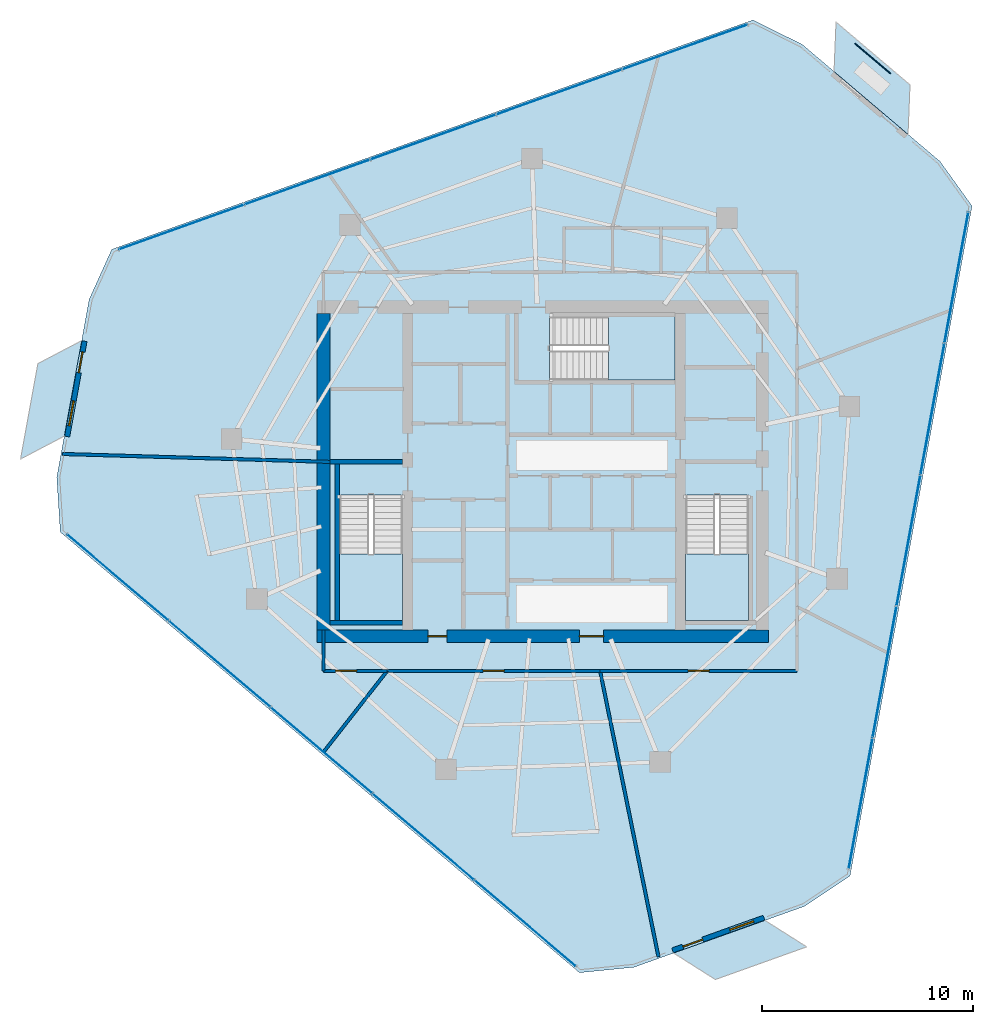
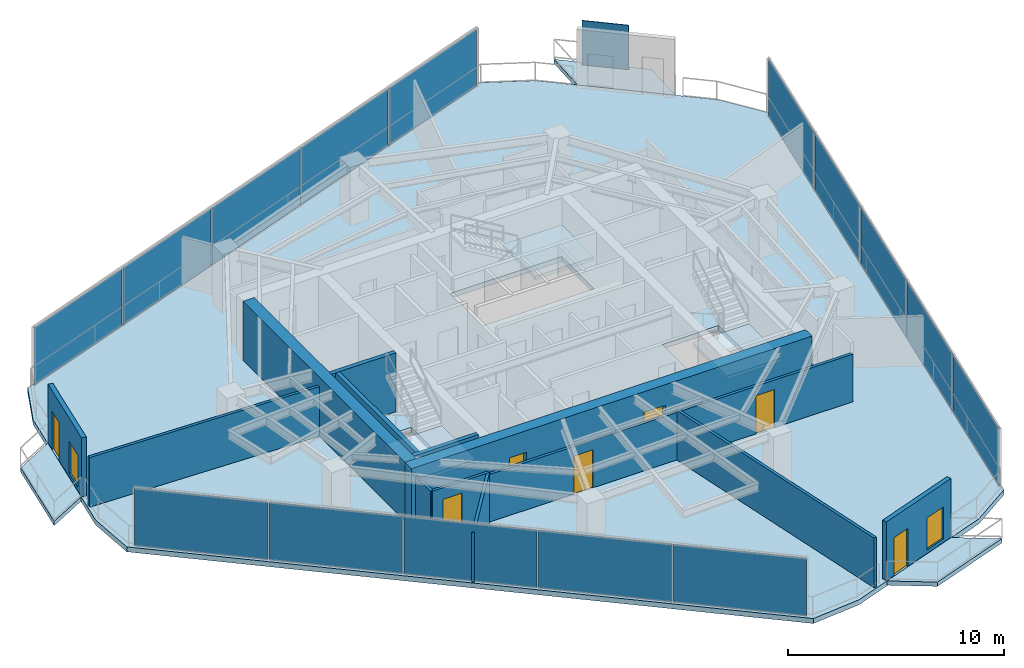
# One storey, part 16 of 21: 16 plates, 14 walls, 7 doors, 7 slabs, 2 windows, 9 openings, 6 elements without a shape of their own.
"""IFC4 building model written with IfcOpenShell, lengths in metres."""

from ifc_helpers import new_model, si_unit, direction, frame, frame_2d, origin, origin_2d, place, context, subcontext, project, spatial, polyline, rectangle, outline, extrude, material, layer, layer_set, type_object, element, fill, aggregate, save


model = new_model("IFC4")

# Units and contexts
model_context = context("Model", 3, precision=1e-05, world=origin(), true_north=direction((0.0, 1.0)))
body_context = subcontext(model_context, "Body", "Model", "MODEL_VIEW")
ifc_project = project(units=[si_unit("LENGTHUNIT", "METRE"), si_unit("AREAUNIT", "SQUARE_METRE"), si_unit("VOLUMEUNIT", "CUBIC_METRE"), si_unit("PLANEANGLEUNIT", "RADIAN"), si_unit("MASSUNIT", "GRAM", prefix="KILO")], contexts=[model_context])

# Site, building, storey
site_placement = place(None, origin())
site = spatial("IfcSite", under=ifc_project, at=site_placement, CompositionType="ELEMENT")
building_placement = place(site_placement, origin())
building = spatial("IfcBuilding", under=site, at=building_placement, Name="Qarnah Convention Tower", CompositionType="ELEMENT")
storey_placement = place(building_placement, frame((0.0, 0.0, 140.10009765625)))
storey = spatial("IfcBuildingStorey", under=building, at=storey_placement, Name="L37", CompositionType="ELEMENT", Elevation=140.10009765625)

# Curtain wall, plates
ifc_material_1 = material(Name="Tempered Low-E dark glass", Category="glass")
ifc_layer_1 = layer(ifc_material_1, 0.172119140625)
ifc_layer_set_1 = layer_set([ifc_layer_1], Name="Tempered Low-E dark glass")
curtain_wall_type = type_object("IfcCurtainWallType", Name="CWS-03", PredefinedType="NOTDEFINED", material=ifc_layer_set_1)
curtain_wall_1_placement = place(storey_placement, origin())
curtain_wall_1 = element("IfcCurtainWall", 1, at=curtain_wall_1_placement, inside=storey, type_object=curtain_wall_type, Name="L37 unitised curtain wall CW-L37-F1", PredefinedType="NOTDEFINED")
ifc_layer_2 = layer(ifc_material_1, 0.031982421875)
ifc_layer_set_2 = layer_set([ifc_layer_2], Name="Tempered Low-E dark glass")
plate_type_1 = type_object("IfcPlateType", Name="PNL-T3", PredefinedType="CURTAIN_PANEL", material=ifc_layer_set_2)
plate_1_placement = place(storey_placement, frame((56.803466796875, 35.601318359375, 0.0400390625), z_axis=(0.0, 0.0, 1.0), x_axis=(-0.179132646464, -0.983824931058, 0.0)))
plate_1 = element("IfcPlate", 2, at=plate_1_placement, type_object=plate_type_1, Name="CW-L37-F1 curtain panel 1.1", PredefinedType="CURTAIN_PANEL", context=body_context, shape_type="SweptSolid", body=[
    extrude(rectangle(XDim=6.256103515625, YDim=0.031982421875, at=origin_2d()), origin(), (0.0, 0.0, 1.0), 3.239990234375),
])
plate_2_placement = place(storey_placement, frame((55.66845703125, 29.36767578125, 0.0400390625), z_axis=(0.0, 0.0, 1.0), x_axis=(-0.179132646464, -0.983824931058, 0.0)))
plate_2 = element("IfcPlate", 3, at=plate_2_placement, type_object=plate_type_1, Name="CW-L37-F1 curtain panel 2.1", PredefinedType="CURTAIN_PANEL", context=body_context, shape_type="SweptSolid", body=[
    extrude(rectangle(XDim=6.256103515625, YDim=0.031982421875, at=origin_2d()), origin(), (0.0, 0.0, 1.0), 3.239990234375),
])
plate_3_placement = place(storey_placement, frame((54.533447265625, 23.134033203125, 0.0400390625), z_axis=(0.0, 0.0, 1.0), x_axis=(-0.179132646464, -0.983824931058, 0.0)))
plate_3 = element("IfcPlate", 4, at=plate_3_placement, type_object=plate_type_1, Name="CW-L37-F1 curtain panel 3.1", PredefinedType="CURTAIN_PANEL", context=body_context, shape_type="SweptSolid", body=[
    extrude(rectangle(XDim=6.256103515625, YDim=0.031982421875, at=origin_2d()), origin(), (0.0, 0.0, 1.0), 3.239990234375),
])
plate_4_placement = place(storey_placement, frame((53.3984375, 16.900390625, 0.0400390625), z_axis=(0.0, 0.0, 1.0), x_axis=(-0.179132646464, -0.983824931058, 0.0)))
plate_4 = element("IfcPlate", 5, at=plate_4_placement, type_object=plate_type_1, Name="CW-L37-F1 curtain panel 4.1", PredefinedType="CURTAIN_PANEL", context=body_context, shape_type="SweptSolid", body=[
    extrude(rectangle(XDim=6.256103515625, YDim=0.031982421875, at=origin_2d()), origin(), (0.0, 0.0, 1.0), 3.239990234375),
])
plate_5_placement = place(storey_placement, frame((52.263427734375, 10.666748046875, 0.0400390625), z_axis=(0.0, 0.0, 1.0), x_axis=(-0.179132646464, -0.983824931058, 0.0)))
plate_5 = element("IfcPlate", 6, at=plate_5_placement, type_object=plate_type_1, Name="CW-L37-F1 curtain panel 5.1", PredefinedType="CURTAIN_PANEL", context=body_context, shape_type="SweptSolid", body=[
    extrude(rectangle(XDim=6.256103515625, YDim=0.031982421875, at=origin_2d()), origin(), (0.0, 0.0, 1.0), 3.239990234375),
])
aggregate(curtain_wall_1, [plate_1, plate_2, plate_3, plate_4, plate_5])

curtain_wall_2_placement = place(storey_placement, origin())
curtain_wall_2 = element("IfcCurtainWall", 7, at=curtain_wall_2_placement, inside=storey, type_object=curtain_wall_type, Name="L37 unitised curtain wall CW-L37-F2", PredefinedType="NOTDEFINED")
plate_6_placement = place(storey_placement, frame((36.363525390625, 4.97998046875, 0.0400390625), z_axis=(0.0, 0.0, 1.0), x_axis=(-0.762449207872, 0.647048070405, 0.0)))
plate_6 = element("IfcPlate", 8, at=plate_6_placement, type_object=plate_type_1, Name="CW-L37-F2 curtain panel 1.1", PredefinedType="CURTAIN_PANEL", context=body_context, shape_type="SweptSolid", body=[
    extrude(rectangle(XDim=6.256103515625, YDim=0.031982421875, at=origin_2d()), origin(), (0.0, 0.0, 1.0), 3.239990234375),
])
plate_7_placement = place(storey_placement, frame((31.532470703125, 9.07958984375, 0.0400390625), z_axis=(0.0, 0.0, 1.0), x_axis=(-0.762449207872, 0.647048070405, 0.0)))
plate_7 = element("IfcPlate", 9, at=plate_7_placement, type_object=plate_type_1, Name="CW-L37-F2 curtain panel 2.1", PredefinedType="CURTAIN_PANEL", context=body_context, shape_type="SweptSolid", body=[
    extrude(rectangle(XDim=6.256103515625, YDim=0.031982421875, at=origin_2d()), origin(), (0.0, 0.0, 1.0), 3.239990234375),
])
plate_8_placement = place(storey_placement, frame((26.701416015625, 13.179443359375, 0.0400390625), z_axis=(0.0, 0.0, 1.0), x_axis=(-0.762449207872, 0.647048070405, 0.0)))
plate_8 = element("IfcPlate", 10, at=plate_8_placement, type_object=plate_type_1, Name="CW-L37-F2 curtain panel 3.1", PredefinedType="CURTAIN_PANEL", context=body_context, shape_type="SweptSolid", body=[
    extrude(rectangle(XDim=6.256103515625, YDim=0.031982421875, at=origin_2d()), origin(), (0.0, 0.0, 1.0), 3.239990234375),
])
plate_9_placement = place(storey_placement, frame((21.87060546875, 17.279296875, 0.0400390625), z_axis=(0.0, 0.0, 1.0), x_axis=(-0.762449207872, 0.647048070405, 0.0)))
plate_9 = element("IfcPlate", 11, at=plate_9_placement, type_object=plate_type_1, Name="CW-L37-F2 curtain panel 4.1", PredefinedType="CURTAIN_PANEL", context=body_context, shape_type="SweptSolid", body=[
    extrude(rectangle(XDim=6.256103515625, YDim=0.031982421875, at=origin_2d()), origin(), (0.0, 0.0, 1.0), 3.239990234375),
])
plate_10_placement = place(storey_placement, frame((17.03955078125, 21.379150390625, 0.0400390625), z_axis=(0.0, 0.0, 1.0), x_axis=(-0.762449207872, 0.647048070405, 0.0)))
plate_10 = element("IfcPlate", 12, at=plate_10_placement, type_object=plate_type_1, Name="CW-L37-F2 curtain panel 5.1", PredefinedType="CURTAIN_PANEL", context=body_context, shape_type="SweptSolid", body=[
    extrude(rectangle(XDim=6.256103515625, YDim=0.031982421875, at=origin_2d()), origin(), (0.0, 0.0, 1.0), 3.239990234375),
])
aggregate(curtain_wall_2, [plate_6, plate_7, plate_8, plate_9, plate_10])

curtain_wall_3_placement = place(storey_placement, origin())
curtain_wall_3 = element("IfcCurtainWall", 13, at=curtain_wall_3_placement, inside=storey, type_object=curtain_wall_type, Name="L37 unitised curtain wall CW-L37-F3", PredefinedType="NOTDEFINED")
plate_11_placement = place(storey_placement, frame((20.06494140625, 37.991943359375, 0.0400390625), z_axis=(0.0, 0.0, 1.0), x_axis=(0.941577546205, 0.336796265543, 0.0)))
plate_11 = element("IfcPlate", 14, at=plate_11_placement, type_object=plate_type_1, Name="CW-L37-F3 curtain panel 1.1", PredefinedType="CURTAIN_PANEL", context=body_context, shape_type="SweptSolid", body=[
    extrude(rectangle(XDim=6.256103515625, YDim=0.031982421875, at=origin_2d()), origin(), (0.0, 0.0, 1.0), 3.239990234375),
])
plate_12_placement = place(storey_placement, frame((26.031005859375, 40.1259765625, 0.0400390625), z_axis=(0.0, 0.0, 1.0), x_axis=(0.941577546205, 0.336796265543, 0.0)))
plate_12 = element("IfcPlate", 15, at=plate_12_placement, type_object=plate_type_1, Name="CW-L37-F3 curtain panel 2.1", PredefinedType="CURTAIN_PANEL", context=body_context, shape_type="SweptSolid", body=[
    extrude(rectangle(XDim=6.256103515625, YDim=0.031982421875, at=origin_2d()), origin(), (0.0, 0.0, 1.0), 3.239990234375),
])
plate_13_placement = place(storey_placement, frame((31.9970703125, 42.260009765625, 0.0400390625), z_axis=(0.0, 0.0, 1.0), x_axis=(0.941577546205, 0.336796265543, 0.0)))
plate_13 = element("IfcPlate", 16, at=plate_13_placement, type_object=plate_type_1, Name="CW-L37-F3 curtain panel 3.1", PredefinedType="CURTAIN_PANEL", context=body_context, shape_type="SweptSolid", body=[
    extrude(rectangle(XDim=6.256103515625, YDim=0.031982421875, at=origin_2d()), origin(), (0.0, 0.0, 1.0), 3.239990234375),
])
plate_14_placement = place(storey_placement, frame((37.962890625, 44.39404296875, 0.0400390625), z_axis=(0.0, 0.0, 1.0), x_axis=(0.941577546205, 0.336796265543, 0.0)))
plate_14 = element("IfcPlate", 17, at=plate_14_placement, type_object=plate_type_1, Name="CW-L37-F3 curtain panel 4.1", PredefinedType="CURTAIN_PANEL", context=body_context, shape_type="SweptSolid", body=[
    extrude(rectangle(XDim=6.256103515625, YDim=0.031982421875, at=origin_2d()), origin(), (0.0, 0.0, 1.0), 3.239990234375),
])
plate_15_placement = place(storey_placement, frame((43.928955078125, 46.528076171875, 0.0400390625), z_axis=(0.0, 0.0, 1.0), x_axis=(0.941577546205, 0.336796265543, 0.0)))
plate_15 = element("IfcPlate", 18, at=plate_15_placement, type_object=plate_type_1, Name="CW-L37-F3 curtain panel 5.1", PredefinedType="CURTAIN_PANEL", context=body_context, shape_type="SweptSolid", body=[
    extrude(rectangle(XDim=6.256103515625, YDim=0.031982421875, at=origin_2d()), origin(), (0.0, 0.0, 1.0), 3.239990234375),
])
aggregate(curtain_wall_3, [plate_11, plate_12, plate_13, plate_14, plate_15])

# Plate
ifc_material_2 = material(Name="Black anodised aluminium", Category="aluminium")
ifc_layer_3 = layer(ifc_material_2, 0.044921875)
ifc_layer_set_3 = layer_set([ifc_layer_3], Name="Black anodised aluminium")
plate_type_2 = type_object("IfcPlateType", Name="SCR-BAL-18", PredefinedType="USERDEFINED", material=ifc_layer_set_3)
plate_16_placement = place(storey_placement, frame((52.837890625, 45.98193359375, 0.0), z_axis=(0.0, 0.0, 1.0), x_axis=(0.762561077406, -0.646916225817, 0.0)))
element("IfcPlate", 19, at=plate_16_placement, inside=storey, type_object=plate_type_2, Name="L37 perforated desert solar screen BAL-L37-C1", ObjectType="SCREEN", PredefinedType="USERDEFINED", context=body_context, shape_type="SweptSolid", body=[
    extrude(rectangle(XDim=2.199951171875, YDim=0.044921875, at=origin_2d()), origin(), (0.0, 0.0, 1.0), 2.5),
])

# Slabs
ifc_material_3 = material(Name="Concrete C45/55", Category="concrete")
ifc_layer_4 = layer(ifc_material_3, 0.239990234375)
ifc_layer_set_4 = layer_set([ifc_layer_4], Name="Concrete C45/55")
slab_type_1 = type_object("IfcSlabType", Name="SLB-BAL-240", PredefinedType="USERDEFINED", material=ifc_layer_set_4)
slab_1_placement = place(storey_placement, frame((0.0, 0.0, -0.239990234375)))
element("IfcSlab", 20, at=slab_1_placement, inside=storey, type_object=slab_type_1, Name="L37 cantilevered balcony slab BAL-L37-C1", ObjectType="BALCONY", PredefinedType="USERDEFINED", context=body_context, shape_type="SweptSolid", body=[
    extrude(outline(polyline([(51.093994140625, 47.7099609375), (54.60205078125, 44.73388671875), (54.507080078125, 42.388916015625), (50.9990234375, 45.365966796875), (51.093994140625, 47.7099609375)])), origin(), (0.0, 0.0, 1.0), 0.239990234375),
])
slab_2_placement = place(storey_placement, frame((0.0, 0.0, -0.239990234375)))
element("IfcSlab", 21, at=slab_2_placement, inside=storey, type_object=slab_type_1, Name="L37 cantilevered balcony slab BAL-L37-C2", ObjectType="BALCONY", PredefinedType="USERDEFINED", context=body_context, shape_type="SweptSolid", body=[
    extrude(outline(polyline([(12.431884765625, 26.992919921875), (13.256103515625, 31.51904296875), (15.3349609375, 32.60888671875), (14.510009765625, 28.083984375), (12.431884765625, 26.992919921875)])), origin(), (0.0, 0.0, 1.0), 0.239990234375),
])
slab_3_placement = place(storey_placement, frame((0.0, 0.0, -0.239990234375)))
element("IfcSlab", 22, at=slab_3_placement, inside=storey, type_object=slab_type_1, Name="L37 cantilevered balcony slab BAL-L37-C3", ObjectType="BALCONY", PredefinedType="USERDEFINED", context=body_context, shape_type="SweptSolid", body=[
    extrude(outline(polyline([(49.705078125, 3.868896484375), (45.3740234375, 2.320068359375), (43.39111328125, 3.574951171875), (47.721923828125, 5.1240234375), (49.705078125, 3.868896484375)])), origin(), (0.0, 0.0, 1.0), 0.239990234375),
])

# Stair, slab
ifc_material_4 = material(Name="Concrete C50/60", Category="concrete")
stair_type = type_object("IfcStairType", Name="STR-OFF", PredefinedType="HALF_TURN_STAIR", material=ifc_material_4)
stair_1_placement = place(storey_placement, origin())
stair_1 = element("IfcStair", 23, at=stair_1_placement, inside=storey, type_object=stair_type, Name="L37 Core exit stair ST-1", PredefinedType="HALF_TURN_STAIR")
ifc_layer_5 = layer(ifc_material_4, 0.199951171875)
ifc_layer_set_5 = layer_set([ifc_layer_5], Name="Concrete C50/60")
slab_type_2 = type_object("IfcSlabType", Name="SLB-LANDING-200", PredefinedType="LANDING", material=ifc_layer_set_5)
slab_4_placement = place(storey_placement, frame((0.0, 0.0, 1.599853515625)))
slab_4 = element("IfcSlab", 24, at=slab_4_placement, type_object=slab_type_2, Name="ST-1 landing 1", PredefinedType="LANDING", context=body_context, shape_type="SweptSolid", body=[
    extrude(outline(polyline([(27.550048828125, 22.5), (27.550048828125, 19.35009765625), (30.550048828125, 19.35009765625), (30.550048828125, 22.5), (27.550048828125, 22.5)])), origin(), (0.0, 0.0, 1.0), 0.199951171875),
])
aggregate(stair_1, [slab_4])

stair_2_placement = place(storey_placement, origin())
stair_2 = element("IfcStair", 25, at=stair_2_placement, inside=storey, type_object=stair_type, Name="L37 Core exit stair ST-2", PredefinedType="HALF_TURN_STAIR")
slab_5_placement = place(storey_placement, frame((0.0, 0.0, 1.599853515625)))
slab_5 = element("IfcSlab", 26, at=slab_5_placement, type_object=slab_type_2, Name="ST-2 landing 1", PredefinedType="LANDING", context=body_context, shape_type="SweptSolid", body=[
    extrude(outline(polyline([(43.949951171875, 22.5), (43.949951171875, 19.35009765625), (46.949951171875, 19.35009765625), (46.949951171875, 22.5), (43.949951171875, 22.5)])), origin(), (0.0, 0.0, 1.0), 0.199951171875),
])
aggregate(stair_2, [slab_5])

stair_3_placement = place(storey_placement, origin())
stair_3 = element("IfcStair", 27, at=stair_3_placement, inside=storey, type_object=stair_type, Name="L37 Core exit stair ST-3", PredefinedType="HALF_TURN_STAIR")
slab_6_placement = place(storey_placement, frame((0.0, 0.0, 1.599853515625)))
slab_6 = element("IfcSlab", 28, at=slab_6_placement, type_object=slab_type_2, Name="ST-3 landing 1", PredefinedType="LANDING", context=body_context, shape_type="SweptSolid", body=[
    extrude(outline(polyline([(40.300048828125, 30.75), (43.449951171875, 30.75), (43.449951171875, 33.75), (40.300048828125, 33.75), (40.300048828125, 30.75)])), origin(), (0.0, 0.0, 1.0), 0.199951171875),
])
aggregate(stair_3, [slab_6])

# Slab
ifc_layer_6 = layer(ifc_material_3, 0.280029296875)
ifc_layer_set_6 = layer_set([ifc_layer_6], Name="Concrete C45/55")
slab_type_3 = type_object("IfcSlabType", Name="SLB-TWR-280", PredefinedType="FLOOR", material=ifc_layer_set_6)
slab_7_placement = place(storey_placement, frame((0.0, 0.0, -0.280029296875)))
element("IfcSlab", 29, at=slab_7_placement, inside=storey, type_object=slab_type_3, Name="L37 structural floor slab", PredefinedType="FLOOR", context=body_context, shape_type="SweptSolid", body=[
    extrude(outline(polyline([(47.154052734375, 47.80908203125), (16.759033203125, 36.93701171875), (15.68701171875, 34.56494140625), (14.14990234375, 26.12890625), (14.318115234375, 23.531982421875), (38.929931640625, 2.64404296875), (41.52001953125, 2.902099609375), (49.593994140625, 5.7890625), (51.760009765625, 7.23291015625), (57.54296875, 38.991943359375), (56.02490234375, 41.10595703125), (49.487060546875, 46.654052734375), (47.154052734375, 47.80908203125)]), holes=[polyline([(27.550048828125, 25.300048828125), (27.550048828125, 19.35009765625), (30.550048828125, 19.35009765625), (30.550048828125, 25.300048828125), (27.550048828125, 25.300048828125)]), polyline([(43.949951171875, 25.300048828125), (43.949951171875, 19.35009765625), (46.949951171875, 19.35009765625), (46.949951171875, 25.300048828125), (43.949951171875, 25.300048828125)]), polyline([(37.5, 30.75), (43.449951171875, 30.75), (43.449951171875, 33.75), (37.5, 33.75), (37.5, 30.75)])]), origin(), (0.0, 0.0, 1.0), 0.280029296875),
])

# Wall, openings, doors
ifc_material_5 = material(Name="Concrete C60/75", Category="concrete")
ifc_layer_7 = layer(ifc_material_5, 0.60009765625)
ifc_layer_set_7 = layer_set([ifc_layer_7], Name="Concrete C60/75")
wall_type_1 = type_object("IfcWallType", Name="WL-CORE-600", PredefinedType="SHEAR", material=ifc_layer_set_7)
wall_1_placement = place(storey_placement, frame((26.5, 18.60009765625, 0.0), z_axis=(0.0, 0.0, 1.0), x_axis=(1.0, 0.0, 0.0)))
wall_1 = element("IfcWall", 30, at=wall_1_placement, inside=storey, type_object=wall_type_1, Name="L37 core south shear wall", PredefinedType="SHEAR", context=body_context, shape_type="SweptSolid", body=[
    extrude(rectangle(XDim=21.39990234375, YDim=0.60009765625, at=frame_2d((10.699951171875, 0.0))), origin(), (0.0, 0.0, 1.0), 3.31982421875),
])
opening_1_placement = place(wall_1_placement, frame((12.425048828125, 0.0, 0.0)))
opening_1 = element("IfcOpeningElement", 31, at=opening_1_placement, cuts=wall_1, Name="Opening D-3707", PredefinedType="OPENING", context=body_context, shape_type="SweptSolid", body=[
    extrude(rectangle(XDim=1.14990234375, YDim=2.14990234375, at=frame_2d((0.574951171875, 1.074951171875))), frame((0.0, 0.31005859375, 0.0), z_axis=(0.0, -1.0, 0.0), x_axis=(1.0, 0.0, 0.0)), (0.0, 0.0, 1.0), 0.6201171875),
])
opening_2_placement = place(wall_1_placement, frame((5.25, 0.0, 0.0)))
opening_2 = element("IfcOpeningElement", 32, at=opening_2_placement, cuts=wall_1, Name="Opening D-3713", PredefinedType="OPENING", context=body_context, shape_type="SweptSolid", body=[
    extrude(rectangle(XDim=0.89990234375, YDim=2.10009765625, at=frame_2d((0.449951171875, 1.050048828125))), frame((0.0, 0.31005859375, 0.0), z_axis=(0.0, -1.0, 0.0), x_axis=(1.0, 0.0, 0.0)), (0.0, 0.0, 1.0), 0.6201171875),
])
ifc_material_6 = material(Name="Structural steel S355JR", Category="steel")
door_type_1 = type_object("IfcDoorType", Name="DT-LOBBY-1150", OperationType="NOTDEFINED", PredefinedType="DOOR", material=ifc_material_6)
door_1_placement = place(opening_1_placement, origin())
door_1 = element("IfcDoor", 33, at=door_1_placement, inside=storey, type_object=door_type_1, Name="Door D-3707", OperationType="SINGLE_SWING_LEFT", OverallHeight=2.14990234375, OverallWidth=1.14990234375, PredefinedType="DOOR", context=body_context, shape_type="SweptSolid", body=[
    extrude(rectangle(XDim=1.14990234375, YDim=2.14990234375, at=frame_2d((0.574951171875, 1.074951171875))), frame((0.0, 0.02490234375, 0.0), z_axis=(0.0, -1.0, 0.0), x_axis=(1.0, 0.0, 0.0)), (0.0, 0.0, 1.0), 0.050048828125),
])
fill(opening_1, door_1)
door_type_2 = type_object("IfcDoorType", Name="DT-RISER-900", OperationType="NOTDEFINED", PredefinedType="DOOR", material=ifc_material_6)
door_2_placement = place(opening_2_placement, origin())
door_2 = element("IfcDoor", 34, at=door_2_placement, inside=storey, type_object=door_type_2, Name="Door D-3713", OperationType="SINGLE_SWING_LEFT", OverallHeight=2.10009765625, OverallWidth=0.89990234375, PredefinedType="DOOR", context=body_context, shape_type="SweptSolid", body=[
    extrude(rectangle(XDim=0.89990234375, YDim=2.10009765625, at=frame_2d((0.449951171875, 1.050048828125))), frame((0.0, 0.02490234375, 0.0), z_axis=(0.0, -1.0, 0.0), x_axis=(1.0, 0.0, 0.0)), (0.0, 0.0, 1.0), 0.050048828125),
])
fill(opening_2, door_2)

# Walls
wall_2_placement = place(storey_placement, frame((26.800048828125, 18.89990234375, 0.0), z_axis=(0.0, 0.0, 1.0), x_axis=(0.0, 1.0, 0.0)))
element("IfcWall", 35, at=wall_2_placement, inside=storey, type_object=wall_type_1, Name="L37 core west shear wall", PredefinedType="SHEAR", context=body_context, shape_type="SweptSolid", body=[
    extrude(rectangle(XDim=15.0, YDim=0.60009765625, at=frame_2d((7.5, 0.0))), origin(), (0.0, 0.0, 1.0), 3.31982421875),
])
ifc_layer_8 = layer(ifc_material_5, 0.219970703125)
ifc_layer_set_8 = layer_set([ifc_layer_8], Name="Concrete C60/75")
wall_type_2 = type_object("IfcWallType", Name="WL-CORE-STAIR-220", PredefinedType="SHEAR", material=ifc_layer_set_8)
wall_3_placement = place(storey_placement, frame((27.10009765625, 26.860107421875, 0.0), z_axis=(0.0, 0.0, 1.0), x_axis=(1.0, 0.0, 0.0)))
element("IfcWall", 36, at=wall_3_placement, inside=storey, type_object=wall_type_2, Name="L37 stair shaft shear wall SW-L37-ST1N", PredefinedType="SHEAR", context=body_context, shape_type="SweptSolid", body=[
    extrude(rectangle(XDim=3.449951171875, YDim=0.219970703125, at=frame_2d((1.72509765625, 0.0))), origin(), (0.0, 0.0, 1.0), 3.31982421875),
])
wall_4_placement = place(storey_placement, frame((27.43994140625, 19.35009765625, 0.0), z_axis=(0.0, 0.0, 1.0), x_axis=(0.0, 1.0, 0.0)))
element("IfcWall", 37, at=wall_4_placement, inside=storey, type_object=wall_type_2, Name="L37 stair shaft shear wall SW-L37-ST1W", PredefinedType="SHEAR", context=body_context, shape_type="SweptSolid", body=[
    extrude(rectangle(XDim=7.39990234375, YDim=0.219970703125, at=frame_2d((3.699951171875, 0.0))), origin(), (0.0, 0.0, 1.0), 3.31982421875),
])
wall_5_placement = place(storey_placement, frame((27.10009765625, 19.239990234375, 0.0), z_axis=(0.0, 0.0, 1.0), x_axis=(1.0, 0.0, 0.0)))
element("IfcWall", 38, at=wall_5_placement, inside=storey, type_object=wall_type_2, Name="L37 stair shaft shear wall SW-L37-ST1S", PredefinedType="SHEAR", context=body_context, shape_type="SweptSolid", body=[
    extrude(rectangle(XDim=3.449951171875, YDim=0.219970703125, at=frame_2d((1.72509765625, 0.0))), origin(), (0.0, 0.0, 1.0), 3.31982421875),
])

# Wall, openings, door, window
ifc_material_7 = material(Name="Precast concrete C45/55", Category="concrete")
ifc_layer_9 = layer(ifc_material_7, 0.239990234375)
ifc_layer_set_9 = layer_set([ifc_layer_9], Name="Precast concrete C45/55")
wall_type_3 = type_object("IfcWallType", Name="WL-EXT-BAL-240", PredefinedType="SOLIDWALL", material=ifc_layer_set_9)
wall_6_placement = place(storey_placement, frame((14.64404296875, 28.05908203125, 0.0), z_axis=(0.0, 0.0, 1.0), x_axis=(0.179114275066, 0.983828275904, 0.0)))
wall_6 = element("IfcWall", 39, at=wall_6_placement, inside=storey, type_object=wall_type_3, Name="L37 loggia threshold wall BAL-L37-C2", PredefinedType="SOLIDWALL", context=body_context, shape_type="SweptSolid", body=[
    extrude(rectangle(XDim=4.600341796875, YDim=0.239990234375, at=frame_2d((2.30029296875, 0.0))), origin(), (0.0, 0.0, 1.0), 3.31982421875),
])
opening_3_placement = place(wall_6_placement, frame((3.080078125, 0.0, 0.0)))
opening_3 = element("IfcOpeningElement", 40, at=opening_3_placement, cuts=wall_6, Name="Opening BD-3702", PredefinedType="OPENING", context=body_context, shape_type="SweptSolid", body=[
    extrude(rectangle(XDim=1.0, YDim=2.14990234375, at=frame_2d((0.5, 1.074951171875))), frame((0.0, 0.1298828125, 0.0), z_axis=(0.0, -1.0, 0.0), x_axis=(1.0, 0.0, 0.0)), (0.0, 0.0, 1.0), 0.260009765625),
])
opening_4_placement = place(wall_6_placement, frame((0.52001953125, 0.0, 0.199951171875)))
opening_4 = element("IfcOpeningElement", 41, at=opening_4_placement, cuts=wall_6, Name="Opening WN5", PredefinedType="OPENING", context=body_context, shape_type="SweptSolid", body=[
    extrude(rectangle(XDim=1.199951171875, YDim=1.800048828125, at=frame_2d((0.60009765625, 0.89990234375))), frame((0.0, 0.1298828125, 0.0), z_axis=(0.0, -1.0, 0.0), x_axis=(1.0, 0.0, 0.0)), (0.0, 0.0, 1.0), 0.260009765625),
])
door_type_3 = type_object("IfcDoorType", Name="DT-BAL-1000", OperationType="NOTDEFINED", PredefinedType="DOOR", material=ifc_material_2)
door_3_placement = place(opening_3_placement, origin())
door_3 = element("IfcDoor", 42, at=door_3_placement, inside=storey, type_object=door_type_3, Name="L37 balcony terrace door BAL-L37-C2", OperationType="SINGLE_SWING_LEFT", OverallHeight=2.14990234375, OverallWidth=1.0, PredefinedType="DOOR", context=body_context, shape_type="SweptSolid", body=[
    extrude(rectangle(XDim=1.0, YDim=2.14990234375, at=frame_2d((0.5, 1.074951171875))), frame((0.0, 0.02490234375, 0.0), z_axis=(0.0, -1.0, 0.0), x_axis=(1.0, 0.0, 0.0)), (0.0, 0.0, 1.0), 0.050048828125),
])
fill(opening_3, door_3)
window_type = type_object("IfcWindowType", Name="WT-BAL-1200X1800", PartitioningType="SINGLE_PANEL", PredefinedType="WINDOW", material=ifc_material_1)
window_1_placement = place(opening_4_placement, origin())
window_1 = element("IfcWindow", 43, at=window_1_placement, inside=storey, type_object=window_type, Name="Window BW-BAL-L37-C2", OverallHeight=1.800048828125, OverallWidth=1.199951171875, PartitioningType="SINGLE_PANEL", PredefinedType="WINDOW", context=body_context, shape_type="SweptSolid", body=[
    extrude(rectangle(XDim=1.199951171875, YDim=1.800048828125, at=frame_2d((0.60009765625, 0.89990234375))), frame((0.0, 0.030029296875, 0.0), z_axis=(0.0, -1.0, 0.0), x_axis=(1.0, 0.0, 0.0)), (0.0, 0.0, 1.0), 0.06005859375),
])
fill(opening_4, window_1)

wall_7_placement = place(storey_placement, frame((47.676025390625, 5.251953125, 0.0), z_axis=(0.0, 0.0, 1.0), x_axis=(-0.941609773354, -0.336706154865, 0.0)))
wall_7 = element("IfcWall", 44, at=wall_7_placement, inside=storey, type_object=wall_type_3, Name="L37 loggia threshold wall BAL-L37-C3", PredefinedType="SOLIDWALL", context=body_context, shape_type="SweptSolid", body=[
    extrude(rectangle(XDim=4.6005859375, YDim=0.239990234375, at=frame_2d((2.30029296875, 0.0))), origin(), (0.0, 0.0, 1.0), 3.31982421875),
])
opening_5_placement = place(wall_7_placement, frame((3.0810546875, 0.0, 0.0)))
opening_5 = element("IfcOpeningElement", 45, at=opening_5_placement, cuts=wall_7, Name="Opening BD-3703", PredefinedType="OPENING", context=body_context, shape_type="SweptSolid", body=[
    extrude(rectangle(XDim=1.0, YDim=2.14990234375, at=frame_2d((0.5, 1.074951171875))), frame((0.0, 0.1298828125, 0.0), z_axis=(0.0, -1.0, 0.0), x_axis=(1.0, 0.0, 0.0)), (0.0, 0.0, 1.0), 0.260009765625),
])
opening_6_placement = place(wall_7_placement, frame((0.52001953125, 0.0, 0.199951171875)))
opening_6 = element("IfcOpeningElement", 46, at=opening_6_placement, cuts=wall_7, Name="Opening WN5", PredefinedType="OPENING", context=body_context, shape_type="SweptSolid", body=[
    extrude(rectangle(XDim=1.199951171875, YDim=1.800048828125, at=frame_2d((0.60009765625, 0.89990234375))), frame((0.0, 0.1298828125, 0.0), z_axis=(0.0, -1.0, 0.0), x_axis=(1.0, 0.0, 0.0)), (0.0, 0.0, 1.0), 0.260009765625),
])
door_4_placement = place(opening_5_placement, origin())
door_4 = element("IfcDoor", 47, at=door_4_placement, inside=storey, type_object=door_type_3, Name="L37 balcony terrace door BAL-L37-C3", OperationType="SINGLE_SWING_RIGHT", OverallHeight=2.14990234375, OverallWidth=1.0, PredefinedType="DOOR", context=body_context, shape_type="SweptSolid", body=[
    extrude(rectangle(XDim=1.0, YDim=2.14990234375, at=frame_2d((0.5, 1.074951171875))), frame((0.0, 0.02490234375, 0.0), z_axis=(0.0, -1.0, 0.0), x_axis=(1.0, 0.0, 0.0)), (0.0, 0.0, 1.0), 0.050048828125),
])
fill(opening_5, door_4)
window_2_placement = place(opening_6_placement, origin())
window_2 = element("IfcWindow", 48, at=window_2_placement, inside=storey, type_object=window_type, Name="Window BW-BAL-L37-C3", OverallHeight=1.800048828125, OverallWidth=1.199951171875, PartitioningType="SINGLE_PANEL", PredefinedType="WINDOW", context=body_context, shape_type="SweptSolid", body=[
    extrude(rectangle(XDim=1.199951171875, YDim=1.800048828125, at=frame_2d((0.60009765625, 0.89990234375))), frame((0.0, 0.030029296875, 0.0), z_axis=(0.0, -1.0, 0.0), x_axis=(1.0, 0.0, 0.0)), (0.0, 0.0, 1.0), 0.06005859375),
])
fill(opening_6, window_2)

# Walls
ifc_material_8 = material(Name="Gypsum partition board")
ifc_layer_10 = layer(ifc_material_8, 0.14990234375)
ifc_layer_set_10 = layer_set([ifc_layer_10], Name="Gypsum partition board")
wall_type_4 = type_object("IfcWallType", Name="WL-SUITE-150", PredefinedType="PARTITIONING", material=ifc_layer_set_10)
wall_8_placement = place(storey_placement, frame((14.431884765625, 27.235107421875, 0.0), z_axis=(0.0, 0.0, 1.0), x_axis=(0.999562158893, -0.029588688856, 0.0)))
element("IfcWall", 49, at=wall_8_placement, inside=storey, type_object=wall_type_4, Name="L37 interior wall IW-L37-R-19", PredefinedType="PARTITIONING", context=body_context, shape_type="SweptSolid", body=[
    extrude(rectangle(XDim=12.673828125, YDim=0.14990234375, at=frame_2d((6.3369140625, 0.0))), origin(), (0.0, 0.0, 1.0), 2.804931640625),
])
wall_9_placement = place(storey_placement, frame((26.77001953125, 13.069091796875, 0.0), z_axis=(0.0, 0.0, 1.0), x_axis=(0.617524308932, 0.786551796056, 0.0)))
element("IfcWall", 50, at=wall_9_placement, inside=storey, type_object=wall_type_4, Name="L37 interior wall IW-L37-R-22", PredefinedType="PARTITIONING", context=body_context, shape_type="SweptSolid", body=[
    extrude(rectangle(XDim=4.93408203125, YDim=0.14990234375, at=frame_2d((2.467041015625, 0.0))), origin(), (0.0, 0.0, 1.0), 2.804931640625),
])

# Wall, opening, door
wall_10_placement = place(storey_placement, frame((29.81689453125, 16.949951171875, 0.0), z_axis=(0.0, 0.0, 1.0), x_axis=(-1.0, 0.0, 0.0)))
wall_10 = element("IfcWall", 51, at=wall_10_placement, inside=storey, type_object=wall_type_4, Name="L37 interior wall IW-L37-R-23", PredefinedType="PARTITIONING", context=body_context, shape_type="SweptSolid", body=[
    extrude(rectangle(XDim=3.016845703125, YDim=0.14990234375, at=frame_2d((1.50830078125, 0.0))), origin(), (0.0, 0.0, 1.0), 2.804931640625),
])
opening_7_placement = place(wall_10_placement, frame((1.447998046875, 0.0, 0.0)))
opening_7 = element("IfcOpeningElement", 52, at=opening_7_placement, cuts=wall_10, Name="Opening D-3724", PredefinedType="OPENING", context=body_context, shape_type="SweptSolid", body=[
    extrude(rectangle(XDim=1.0, YDim=2.14990234375, at=frame_2d((0.5, 1.074951171875))), frame((0.0, 0.0849609375, 0.0), z_axis=(0.0, -1.0, 0.0), x_axis=(1.0, 0.0, 0.0)), (0.0, 0.0, 1.0), 0.169921875),
])
ifc_material_9 = material(Name="Oak timber veneer", Category="wood")
door_type_4 = type_object("IfcDoorType", Name="DT-OFFICE-1000", OperationType="NOTDEFINED", PredefinedType="DOOR", material=ifc_material_9)
door_5_placement = place(opening_7_placement, origin())
door_5 = element("IfcDoor", 53, at=door_5_placement, inside=storey, type_object=door_type_4, Name="Door D-3724", OperationType="SINGLE_SWING_RIGHT", OverallHeight=2.14990234375, OverallWidth=1.0, PredefinedType="DOOR", context=body_context, shape_type="SweptSolid", body=[
    extrude(rectangle(XDim=1.0, YDim=2.14990234375, at=frame_2d((0.5, 1.074951171875))), frame((0.0, 0.02490234375, 0.0), z_axis=(0.0, -1.0, 0.0), x_axis=(1.0, 0.0, 0.0)), (0.0, 0.0, 1.0), 0.050048828125),
])
fill(opening_7, door_5)

# Walls
wall_11_placement = place(storey_placement, frame((26.800048828125, 16.949951171875, 0.0), z_axis=(0.0, 0.0, 1.0), x_axis=(0.0, 1.0, 0.0)))
element("IfcWall", 54, at=wall_11_placement, inside=storey, type_object=wall_type_4, Name="L37 interior wall IW-L37-R-24", PredefinedType="PARTITIONING", context=body_context, shape_type="SweptSolid", body=[
    extrude(rectangle(XDim=1.949951171875, YDim=0.14990234375, at=frame_2d((0.97509765625, 0.0))), origin(), (0.0, 0.0, 1.0), 2.804931640625),
])
wall_12_placement = place(storey_placement, frame((42.676025390625, 3.39990234375, 0.0), z_axis=(0.0, 0.0, 1.0), x_axis=(-0.200015351248, 0.979792763428, 0.0)))
element("IfcWall", 55, at=wall_12_placement, inside=storey, type_object=wall_type_4, Name="L37 interior wall IW-L37-R-25", PredefinedType="PARTITIONING", context=body_context, shape_type="SweptSolid", body=[
    extrude(rectangle(XDim=13.82958984375, YDim=0.14990234375, at=frame_2d((6.914794921875, 0.0))), origin(), (0.0, 0.0, 1.0), 2.804931640625),
])

# Wall, opening, door
wall_13_placement = place(storey_placement, frame((39.909912109375, 16.949951171875, 0.0), z_axis=(0.0, 0.0, 1.0), x_axis=(-1.0, 0.0, 0.0)))
wall_13 = element("IfcWall", 56, at=wall_13_placement, inside=storey, type_object=wall_type_4, Name="L37 interior wall IW-L37-R-26", PredefinedType="PARTITIONING", context=body_context, shape_type="SweptSolid", body=[
    extrude(rectangle(XDim=10.093017578125, YDim=0.14990234375, at=frame_2d((5.04638671875, 0.0))), origin(), (0.0, 0.0, 1.0), 2.68701171875),
])
opening_8_placement = place(wall_13_placement, frame((4.5458984375, 0.0, 0.0)))
opening_8 = element("IfcOpeningElement", 57, at=opening_8_placement, cuts=wall_13, Name="Opening D-3725", PredefinedType="OPENING", context=body_context, shape_type="SweptSolid", body=[
    extrude(rectangle(XDim=1.0, YDim=2.14990234375, at=frame_2d((0.5, 1.074951171875))), frame((0.0, 0.0849609375, 0.0), z_axis=(0.0, -1.0, 0.0), x_axis=(1.0, 0.0, 0.0)), (0.0, 0.0, 1.0), 0.169921875),
])
door_6_placement = place(opening_8_placement, origin())
door_6 = element("IfcDoor", 58, at=door_6_placement, inside=storey, type_object=door_type_4, Name="Door D-3725", OperationType="SINGLE_SWING_LEFT", OverallHeight=2.14990234375, OverallWidth=1.0, PredefinedType="DOOR", context=body_context, shape_type="SweptSolid", body=[
    extrude(rectangle(XDim=1.0, YDim=2.14990234375, at=frame_2d((0.5, 1.074951171875))), frame((0.0, 0.02490234375, 0.0), z_axis=(0.0, -1.0, 0.0), x_axis=(1.0, 0.0, 0.0)), (0.0, 0.0, 1.0), 0.050048828125),
])
fill(opening_8, door_6)

wall_14_placement = place(storey_placement, frame((49.25, 16.949951171875, 0.0), z_axis=(0.0, 0.0, 1.0), x_axis=(-1.0, 0.0, 0.0)))
wall_14 = element("IfcWall", 59, at=wall_14_placement, inside=storey, type_object=wall_type_4, Name="L37 interior wall IW-L37-R-30", PredefinedType="PARTITIONING", context=body_context, shape_type="SweptSolid", body=[
    extrude(rectangle(XDim=9.340087890625, YDim=0.14990234375, at=frame_2d((4.669921875, 0.0))), origin(), (0.0, 0.0, 1.0), 2.68701171875),
])
opening_9_placement = place(wall_14_placement, frame((4.169921875, 0.0, 0.0)))
opening_9 = element("IfcOpeningElement", 60, at=opening_9_placement, cuts=wall_14, Name="Opening D-3726", PredefinedType="OPENING", context=body_context, shape_type="SweptSolid", body=[
    extrude(rectangle(XDim=1.0, YDim=2.14990234375, at=frame_2d((0.5, 1.074951171875))), frame((0.0, 0.0849609375, 0.0), z_axis=(0.0, -1.0, 0.0), x_axis=(1.0, 0.0, 0.0)), (0.0, 0.0, 1.0), 0.169921875),
])
door_7_placement = place(opening_9_placement, origin())
door_7 = element("IfcDoor", 61, at=door_7_placement, inside=storey, type_object=door_type_4, Name="Door D-3726", OperationType="SINGLE_SWING_RIGHT", OverallHeight=2.14990234375, OverallWidth=1.0, PredefinedType="DOOR", context=body_context, shape_type="SweptSolid", body=[
    extrude(rectangle(XDim=1.0, YDim=2.14990234375, at=frame_2d((0.5, 1.074951171875))), frame((0.0, 0.02490234375, 0.0), z_axis=(0.0, -1.0, 0.0), x_axis=(1.0, 0.0, 0.0)), (0.0, 0.0, 1.0), 0.050048828125),
])
fill(opening_9, door_7)

save(model, "model.ifc")
